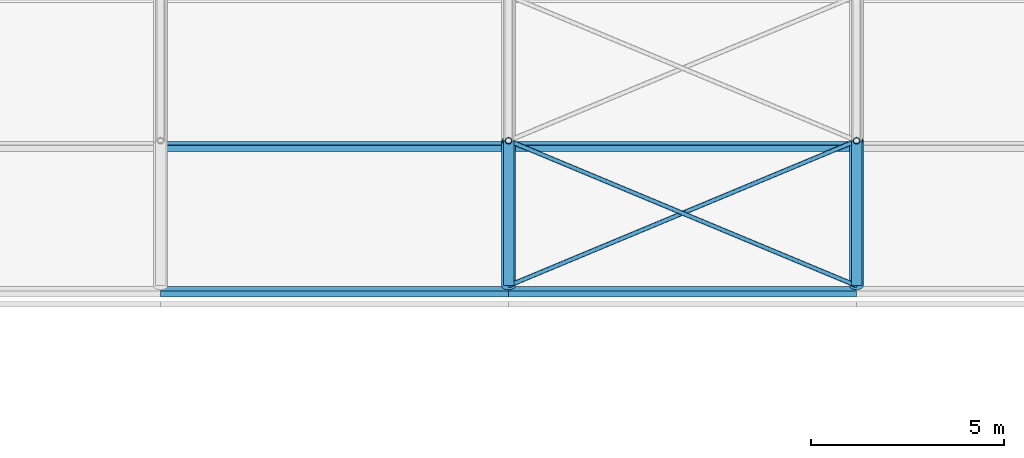
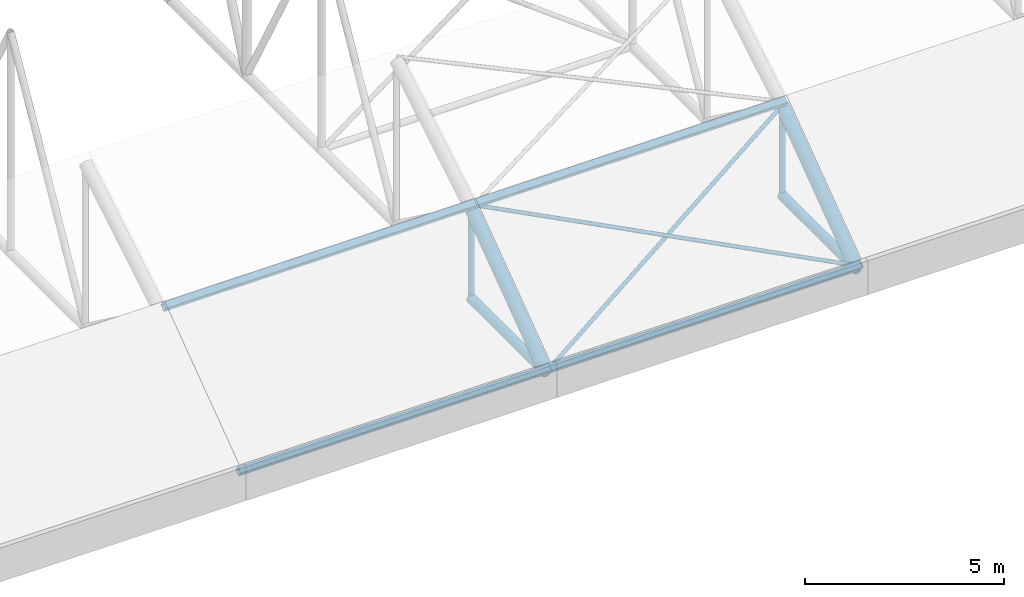
# One storey, part 46 of 153: 12 members.
"""IFC4 building model written with IfcOpenShell, lengths in metres."""

from ifc_helpers import new_model, si_unit, direction, frame, origin, origin_2d, place, context, subcontext, project, spatial, hollow_rectangle, hollow_circle, extrude, material, material_profile, profile_set, type_object, element, save


model = new_model("IFC4")

# Units and contexts
model_context = context("Model", 3, precision=1e-05, world=origin(), true_north=direction((0.0, 1.0)))
body_context = subcontext(model_context, "Body", "Model", "MODEL_VIEW")
ifc_project = project(units=[si_unit("LENGTHUNIT", "METRE"), si_unit("AREAUNIT", "SQUARE_METRE"), si_unit("VOLUMEUNIT", "CUBIC_METRE"), si_unit("PLANEANGLEUNIT", "RADIAN"), si_unit("MASSUNIT", "GRAM", prefix="KILO")], contexts=[model_context])

# Site, building, storey
site_placement = place(None, origin())
site = spatial("IfcSite", under=ifc_project, at=site_placement, CompositionType="ELEMENT")
building_placement = place(site_placement, origin())
building = spatial("IfcBuilding", under=site, at=building_placement, Name="Baradari Gate Terminus", CompositionType="ELEMENT")
storey_placement = place(building_placement, frame((0.0, 0.0, 11.699951171875)))
storey = spatial("IfcBuildingStorey", under=building, at=storey_placement, Name="L02", CompositionType="ELEMENT", Elevation=11.699951171875)

# Members
ifc_material_1 = material(Name="Steel S355", Category="steel")
ifc_material_profile_1 = material_profile(ifc_material_1, hollow_circle(Radius=0.136474609375, WallThickness=0.012451171875, at=origin_2d()), Name="CHS 273x12.5")
ifc_profile_set_1 = profile_set([ifc_material_profile_1], Name="Steel S355")
member_type_1 = type_object("IfcMemberType", Name="Shed bottom chord CHS 273x12.5", PredefinedType="CHORD", material=ifc_profile_set_1)
for number, where, z_axis, x_axis, name in (
    (1, (180.0, 36.0, 0.136474609375), (0.0, 1.0, 0.0), (-1.0, 0.0, 0.0), "TR/L02/S180-BC00"),
    (2, (189.0, 36.0, 0.136474609375), (0.0, 1.0, 0.0), (-1.0, 0.0, 0.0), "TR/L02/S189-BC00"),
):
    element("IfcMember", number, at=place(storey_placement, frame(where, z_axis=z_axis, x_axis=x_axis)), inside=storey, type_object=member_type_1, Name=name, PredefinedType="CHORD", context=body_context, shape_type="SweptSolid", body=[
        extrude(hollow_circle(Radius=0.136474609375, WallThickness=0.012451171875, at=origin_2d()), origin(), (0.0, 0.0, 1.0), 3.75),
    ])
ifc_material_2 = material(Name="Steel S355", Category="steel")
ifc_material_profile_2 = material_profile(ifc_material_2, hollow_rectangle(XDim=0.199951171875, YDim=0.199951171875, WallThickness=0.008056640625, InnerFilletRadius=0.008056640625, OuterFilletRadius=0.01611328125, at=origin_2d()), Name="SHS 200x200x8")
ifc_profile_set_2 = profile_set([ifc_material_profile_2], Name="Steel S355")
member_type_2 = type_object("IfcMemberType", Name="Shed purlin SHS 200x200x8", PredefinedType="PURLIN", material=ifc_profile_set_2)
for number, where, z_axis, x_axis, name in (
    (3, (171.0, 35.8427734375, 0.350830078125), (1.0, 0.0, 0.0), (0.0, 0.80640499586, 0.591363663621), "TR/L02/B180-PU00"),
    (4, (171.0, 39.602783203125, 3.10791015625), (1.0, 0.0, 0.0), (0.0, 0.832836263724, 0.55351942859), "TR/L02/B180-PU01"),
    (5, (180.0, 35.8427734375, 0.350830078125), (1.0, 0.0, 0.0), (0.0, 0.80640499586, 0.591363663621), "TR/L02/B189-PU00"),
    (6, (180.0, 39.602783203125, 3.10791015625), (1.0, 0.0, 0.0), (0.0, 0.832836263724, 0.55351942859), "TR/L02/B189-PU01"),
):
    element("IfcMember", number, at=place(storey_placement, frame(where, z_axis=z_axis, x_axis=x_axis)), inside=storey, type_object=member_type_2, Name=name, PredefinedType="PURLIN", context=body_context, shape_type="SweptSolid", body=[
        extrude(hollow_rectangle(XDim=0.199951171875, YDim=0.199951171875, WallThickness=0.008056640625, InnerFilletRadius=0.008056640625, OuterFilletRadius=0.01611328125, at=origin_2d()), origin(), (0.0, 0.0, 1.0), 9.0),
    ])
ifc_material_3 = material(Name="Steel S355", Category="steel")
ifc_material_profile_3 = material_profile(ifc_material_3, hollow_circle(Radius=0.05712890625, WallThickness=0.00634765625, at=origin_2d()), Name="CHS 114.3x6.3")
ifc_profile_set_3 = profile_set([ifc_material_profile_3], Name="Steel S355")
member_type_3 = type_object("IfcMemberType", Name="Shed roof brace CHS 114.3x6.3", PredefinedType="BRACE", material=ifc_profile_set_3)
for number, where, z_axis, x_axis, name in (
    (7, (180.0, 36.0, 0.136474609375), (0.888415085526, 0.370172952302, 0.271460165022), (-0.384615384615, 0.923076923077, 0.0), "TR/L02/B189-RB00A"),
    (8, (189.0, 36.0, 0.250732421875), (-0.888415085526, 0.370172952302, 0.271460165022), (-0.384615384615, -0.923076923077, 0.0), "TR/L02/B189-RB00B"),
):
    element("IfcMember", number, at=place(storey_placement, frame(where, z_axis=z_axis, x_axis=x_axis)), inside=storey, type_object=member_type_3, Name=name, PredefinedType="BRACE", context=body_context, shape_type="SweptSolid", body=[
        extrude(hollow_circle(Radius=0.05712890625, WallThickness=0.00634765625, at=origin_2d()), origin(), (0.0, 0.0, 1.0), 10.13037109375),
    ])
ifc_material_4 = material(Name="Steel S355", Category="steel")
ifc_material_profile_4 = material_profile(ifc_material_4, hollow_circle(Radius=0.177734375, WallThickness=0.01611328125, at=origin_2d()), Name="CHS 355.6x16")
ifc_profile_set_4 = profile_set([ifc_material_profile_4], Name="Steel S355")
member_type_4 = type_object("IfcMemberType", Name="Shed top chord CHS 355.6x16", PredefinedType="CHORD", material=ifc_profile_set_4)
for number, where, z_axis, x_axis, name in (
    (9, (180.0, 36.0, 0.136474609375), (0.0, 0.806404995856, 0.591363663628), (-1.0, 0.0, 0.0), "TR/L02/S180-TC00"),
    (10, (189.0, 36.0, 0.136474609375), (0.0, 0.806404995856, 0.591363663628), (-1.0, 0.0, 0.0), "TR/L02/S189-TC00"),
):
    element("IfcMember", number, at=place(storey_placement, frame(where, z_axis=z_axis, x_axis=x_axis)), inside=storey, type_object=member_type_4, Name=name, PredefinedType="CHORD", context=body_context, shape_type="SweptSolid", body=[
        extrude(hollow_circle(Radius=0.177734375, WallThickness=0.01611328125, at=origin_2d()), origin(), (0.0, 0.0, 1.0), 4.650390625),
    ])
ifc_material_5 = material(Name="Steel S355", Category="steel")
ifc_material_profile_5 = material_profile(ifc_material_5, hollow_circle(Radius=0.084228515625, WallThickness=0.008056640625, at=origin_2d()), Name="CHS 168.3x8")
ifc_profile_set_5 = profile_set([ifc_material_profile_5], Name="Steel S355")
member_type_5 = type_object("IfcMemberType", Name="Shed truss post CHS 168.3x8", PredefinedType="POST", material=ifc_profile_set_5)
for number, where, z_axis, x_axis, name in (
    (11, (180.0, 39.75, 0.136474609375), (0.0, 0.0, 1.0), (1.0, 0.0, 0.0), "TR/L02/S180-SP01"),
    (12, (189.0, 39.75, 0.136474609375), (0.0, 0.0, 1.0), (1.0, 0.0, 0.0), "TR/L02/S189-SP01"),
):
    element("IfcMember", number, at=place(storey_placement, frame(where, z_axis=z_axis, x_axis=x_axis)), inside=storey, type_object=member_type_5, Name=name, PredefinedType="POST", context=body_context, shape_type="SweptSolid", body=[
        extrude(hollow_circle(Radius=0.084228515625, WallThickness=0.008056640625, at=origin_2d()), origin(), (0.0, 0.0, 1.0), 2.75),
    ])

save(model, "model.ifc")
